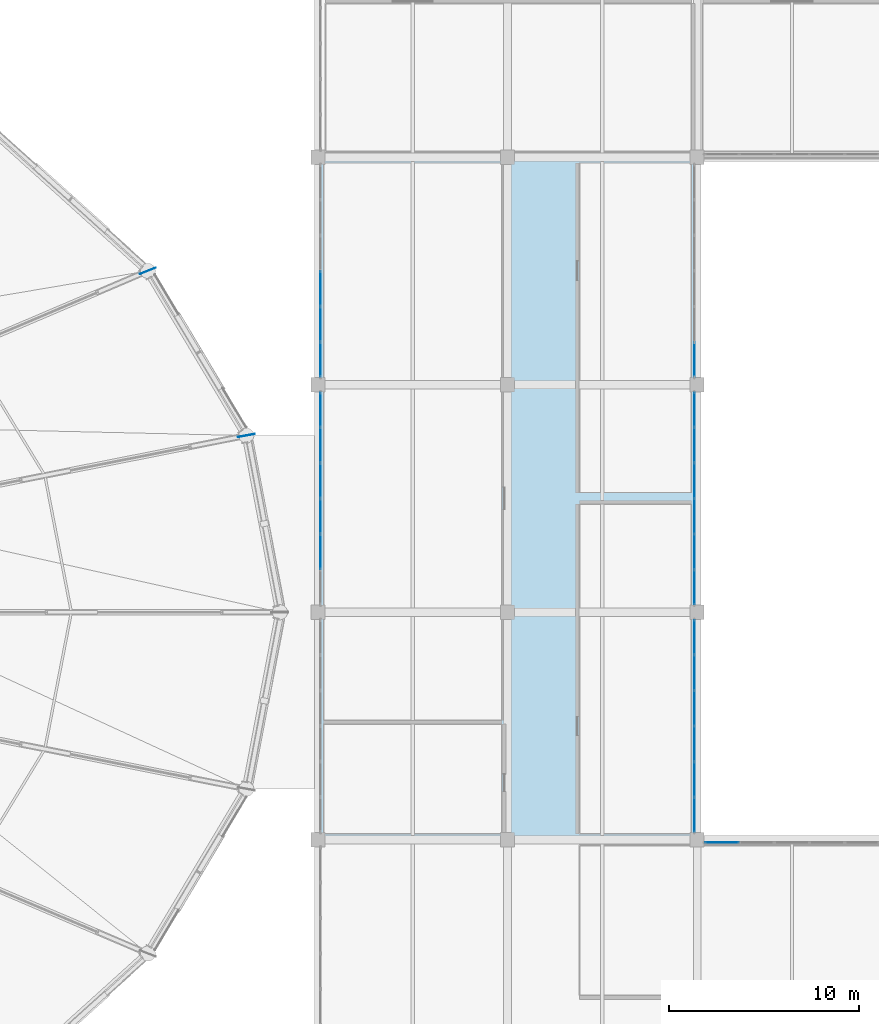
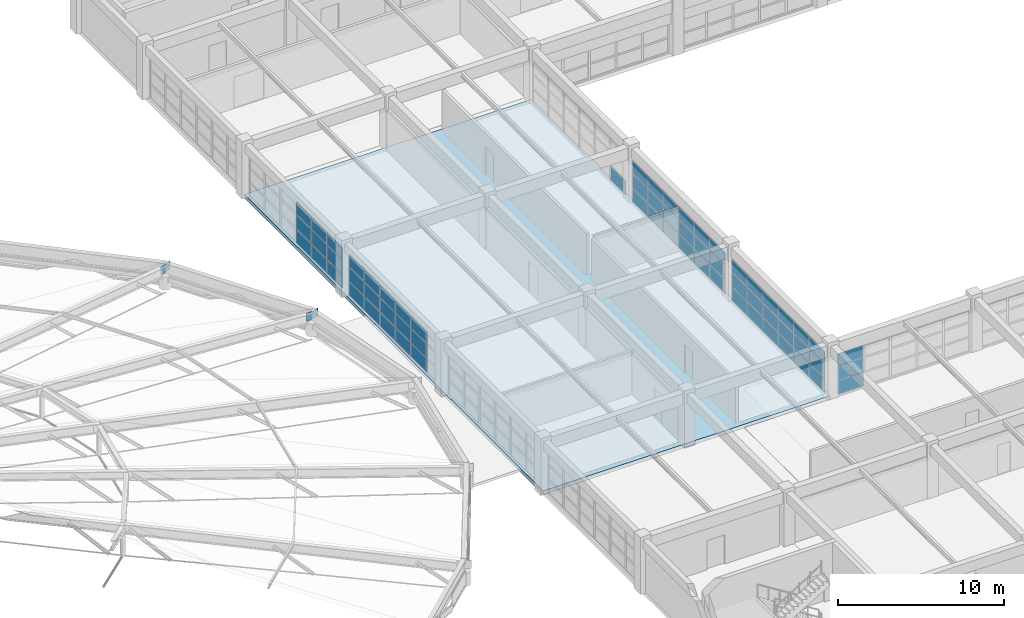
# One storey, part 52 of 83: 66 plates, 1 slab, 6 elements without a shape of their own.
"""IFC4 building model written with IfcOpenShell, lengths in metres."""

from ifc_helpers import new_model, si_unit, direction, frame, origin, origin_2d, place, context, subcontext, project, spatial, polyline, rectangle, outline, extrude, material, layer, layer_set, type_object, element, aggregate, save


model = new_model("IFC4")

# Units and contexts
model_context = context("Model", 3, precision=1e-05, world=origin(), true_north=direction((0.0, 1.0)))
body_context = subcontext(model_context, "Body", "Model", "MODEL_VIEW")
ifc_project = project(units=[si_unit("LENGTHUNIT", "METRE"), si_unit("AREAUNIT", "SQUARE_METRE"), si_unit("VOLUMEUNIT", "CUBIC_METRE"), si_unit("PLANEANGLEUNIT", "RADIAN"), si_unit("MASSUNIT", "GRAM", prefix="KILO")], contexts=[model_context])

# Site, building, storey
site_placement = place(None, origin())
site = spatial("IfcSite", under=ifc_project, at=site_placement, CompositionType="ELEMENT")
building_placement = place(site_placement, origin())
building = spatial("IfcBuilding", under=site, at=building_placement, Name="Kivolera Central Railway Station", CompositionType="ELEMENT")
storey_placement = place(building_placement, frame((0.0, 0.0, 14.39990234375)))
storey = spatial("IfcBuildingStorey", under=building, at=storey_placement, Name="L03", CompositionType="ELEMENT", Elevation=14.39990234375)

# Curtain wall, plates
ifc_material_1 = material(Name="Anodised aluminium", Category="aluminium")
ifc_layer_1 = layer(ifc_material_1, 0.179931640625, Name="Anodised aluminium")
ifc_layer_set_1 = layer_set([ifc_layer_1], Name="Anodised aluminium")
curtain_wall_type_1 = type_object("IfcCurtainWallType", Name="CW-SYS-30", PredefinedType="NOTDEFINED", material=ifc_layer_set_1)
curtain_wall_1_placement = place(storey_placement, origin())
curtain_wall_1 = element("IfcCurtainWall", 1, at=curtain_wall_1_placement, inside=storey, type_object=curtain_wall_type_1, Name="L03 Curtain Wall CW-L03-CRTW-G", PredefinedType="NOTDEFINED")
ifc_material_2 = material(Name="Double low-E laminated glass", Category="glass")
ifc_layer_2 = layer(ifc_material_2, 0.02587890625, Name="Double low-E laminated glass")
ifc_layer_set_2 = layer_set([ifc_layer_2], Name="Double low-E laminated glass")
plate_type_1 = type_object("IfcPlateType", Name="CWP-GLZ-1", PredefinedType="CURTAIN_PANEL", material=ifc_layer_set_2)
plate_1_placement = place(storey_placement, frame((137.85498046875, 88.6767578125, 0.048095703125), z_axis=(0.0, 0.0, 1.0), x_axis=(0.0, -1.0, 0.0)))
plate_1 = element("IfcPlate", 2, at=plate_1_placement, type_object=plate_type_1, Name="CW-30 panel 1.1", PredefinedType="CURTAIN_PANEL", context=body_context, shape_type="SweptSolid", body=[
    extrude(rectangle(XDim=1.810546875, YDim=0.02587890625, at=origin_2d()), origin(), (0.0, 0.0, 1.0), 1.01123046875),
])
plate_2_placement = place(storey_placement, frame((137.85498046875, 88.6767578125, 1.09521484375), z_axis=(0.0, 0.0, 1.0), x_axis=(0.0, -1.0, 0.0)))
plate_2 = element("IfcPlate", 3, at=plate_2_placement, type_object=plate_type_1, Name="CW-30 panel 1.2", PredefinedType="CURTAIN_PANEL", context=body_context, shape_type="SweptSolid", body=[
    extrude(rectangle(XDim=1.810546875, YDim=0.02587890625, at=origin_2d()), origin(), (0.0, 0.0, 1.0), 1.041259765625),
])
plate_3_placement = place(storey_placement, frame((137.85498046875, 88.6767578125, 2.172607421875), z_axis=(0.0, 0.0, 1.0), x_axis=(0.0, -1.0, 0.0)))
plate_3 = element("IfcPlate", 4, at=plate_3_placement, type_object=plate_type_1, Name="CW-30 panel 1.3", PredefinedType="CURTAIN_PANEL", context=body_context, shape_type="SweptSolid", body=[
    extrude(rectangle(XDim=1.810546875, YDim=0.02587890625, at=origin_2d()), origin(), (0.0, 0.0, 1.0), 0.857421875),
])
plate_4_placement = place(storey_placement, frame((137.85498046875, 86.81494140625, 0.048095703125), z_axis=(0.0, 0.0, 1.0), x_axis=(0.0, -1.0, 0.0)))
plate_4 = element("IfcPlate", 5, at=plate_4_placement, type_object=plate_type_1, Name="CW-30 panel 2.1", PredefinedType="CURTAIN_PANEL", context=body_context, shape_type="SweptSolid", body=[
    extrude(rectangle(XDim=1.840576171875, YDim=0.02587890625, at=origin_2d()), origin(), (0.0, 0.0, 1.0), 1.01123046875),
])
plate_5_placement = place(storey_placement, frame((137.85498046875, 86.81494140625, 1.09521484375), z_axis=(0.0, 0.0, 1.0), x_axis=(0.0, -1.0, 0.0)))
plate_5 = element("IfcPlate", 6, at=plate_5_placement, type_object=plate_type_1, Name="CW-30 panel 2.2", PredefinedType="CURTAIN_PANEL", context=body_context, shape_type="SweptSolid", body=[
    extrude(rectangle(XDim=1.840576171875, YDim=0.02587890625, at=origin_2d()), origin(), (0.0, 0.0, 1.0), 1.041259765625),
])
plate_6_placement = place(storey_placement, frame((137.85498046875, 86.81494140625, 2.172607421875), z_axis=(0.0, 0.0, 1.0), x_axis=(0.0, -1.0, 0.0)))
plate_6 = element("IfcPlate", 7, at=plate_6_placement, type_object=plate_type_1, Name="CW-30 panel 2.3", PredefinedType="CURTAIN_PANEL", context=body_context, shape_type="SweptSolid", body=[
    extrude(rectangle(XDim=1.840576171875, YDim=0.02587890625, at=origin_2d()), origin(), (0.0, 0.0, 1.0), 0.857421875),
])
plate_7_placement = place(storey_placement, frame((137.85498046875, 84.938232421875, 0.048095703125), z_axis=(0.0, 0.0, 1.0), x_axis=(0.0, -1.0, 0.0)))
plate_7 = element("IfcPlate", 8, at=plate_7_placement, type_object=plate_type_1, Name="CW-30 panel 3.1", PredefinedType="CURTAIN_PANEL", context=body_context, shape_type="SweptSolid", body=[
    extrude(rectangle(XDim=1.840576171875, YDim=0.02587890625, at=origin_2d()), origin(), (0.0, 0.0, 1.0), 1.01123046875),
])
plate_8_placement = place(storey_placement, frame((137.85498046875, 84.938232421875, 1.09521484375), z_axis=(0.0, 0.0, 1.0), x_axis=(0.0, -1.0, 0.0)))
plate_8 = element("IfcPlate", 9, at=plate_8_placement, type_object=plate_type_1, Name="CW-30 panel 3.2", PredefinedType="CURTAIN_PANEL", context=body_context, shape_type="SweptSolid", body=[
    extrude(rectangle(XDim=1.840576171875, YDim=0.02587890625, at=origin_2d()), origin(), (0.0, 0.0, 1.0), 1.041259765625),
])
plate_9_placement = place(storey_placement, frame((137.85498046875, 84.938232421875, 2.172607421875), z_axis=(0.0, 0.0, 1.0), x_axis=(0.0, -1.0, 0.0)))
plate_9 = element("IfcPlate", 10, at=plate_9_placement, type_object=plate_type_1, Name="CW-30 panel 3.3", PredefinedType="CURTAIN_PANEL", context=body_context, shape_type="SweptSolid", body=[
    extrude(rectangle(XDim=1.840576171875, YDim=0.02587890625, at=origin_2d()), origin(), (0.0, 0.0, 1.0), 0.857421875),
])
plate_10_placement = place(storey_placement, frame((137.85498046875, 83.061767578125, 0.048095703125), z_axis=(0.0, 0.0, 1.0), x_axis=(0.0, -1.0, 0.0)))
plate_10 = element("IfcPlate", 11, at=plate_10_placement, type_object=plate_type_1, Name="CW-30 panel 4.1", PredefinedType="CURTAIN_PANEL", context=body_context, shape_type="SweptSolid", body=[
    extrude(rectangle(XDim=1.840576171875, YDim=0.02587890625, at=origin_2d()), origin(), (0.0, 0.0, 1.0), 1.01123046875),
])
plate_11_placement = place(storey_placement, frame((137.85498046875, 83.061767578125, 1.09521484375), z_axis=(0.0, 0.0, 1.0), x_axis=(0.0, -1.0, 0.0)))
plate_11 = element("IfcPlate", 12, at=plate_11_placement, type_object=plate_type_1, Name="CW-30 panel 4.2", PredefinedType="CURTAIN_PANEL", context=body_context, shape_type="SweptSolid", body=[
    extrude(rectangle(XDim=1.840576171875, YDim=0.02587890625, at=origin_2d()), origin(), (0.0, 0.0, 1.0), 1.041259765625),
])
plate_12_placement = place(storey_placement, frame((137.85498046875, 83.061767578125, 2.172607421875), z_axis=(0.0, 0.0, 1.0), x_axis=(0.0, -1.0, 0.0)))
plate_12 = element("IfcPlate", 13, at=plate_12_placement, type_object=plate_type_1, Name="CW-30 panel 4.3", PredefinedType="CURTAIN_PANEL", context=body_context, shape_type="SweptSolid", body=[
    extrude(rectangle(XDim=1.840576171875, YDim=0.02587890625, at=origin_2d()), origin(), (0.0, 0.0, 1.0), 0.857421875),
])
plate_13_placement = place(storey_placement, frame((137.85498046875, 81.18505859375, 0.048095703125), z_axis=(0.0, 0.0, 1.0), x_axis=(0.0, -1.0, 0.0)))
plate_13 = element("IfcPlate", 14, at=plate_13_placement, type_object=plate_type_1, Name="CW-30 panel 5.1", PredefinedType="CURTAIN_PANEL", context=body_context, shape_type="SweptSolid", body=[
    extrude(rectangle(XDim=1.840576171875, YDim=0.02587890625, at=origin_2d()), origin(), (0.0, 0.0, 1.0), 1.01123046875),
])
plate_14_placement = place(storey_placement, frame((137.85498046875, 81.18505859375, 1.09521484375), z_axis=(0.0, 0.0, 1.0), x_axis=(0.0, -1.0, 0.0)))
plate_14 = element("IfcPlate", 15, at=plate_14_placement, type_object=plate_type_1, Name="CW-30 panel 5.2", PredefinedType="CURTAIN_PANEL", context=body_context, shape_type="SweptSolid", body=[
    extrude(rectangle(XDim=1.840576171875, YDim=0.02587890625, at=origin_2d()), origin(), (0.0, 0.0, 1.0), 1.041259765625),
])
plate_15_placement = place(storey_placement, frame((137.85498046875, 81.18505859375, 2.172607421875), z_axis=(0.0, 0.0, 1.0), x_axis=(0.0, -1.0, 0.0)))
plate_15 = element("IfcPlate", 16, at=plate_15_placement, type_object=plate_type_1, Name="CW-30 panel 5.3", PredefinedType="CURTAIN_PANEL", context=body_context, shape_type="SweptSolid", body=[
    extrude(rectangle(XDim=1.840576171875, YDim=0.02587890625, at=origin_2d()), origin(), (0.0, 0.0, 1.0), 0.857421875),
])
plate_16_placement = place(storey_placement, frame((137.85498046875, 79.3232421875, 0.048095703125), z_axis=(0.0, 0.0, 1.0), x_axis=(0.0, -1.0, 0.0)))
plate_16 = element("IfcPlate", 17, at=plate_16_placement, type_object=plate_type_1, Name="CW-30 panel 6.1", PredefinedType="CURTAIN_PANEL", context=body_context, shape_type="SweptSolid", body=[
    extrude(rectangle(XDim=1.810546875, YDim=0.02587890625, at=origin_2d()), origin(), (0.0, 0.0, 1.0), 1.01123046875),
])
plate_17_placement = place(storey_placement, frame((137.85498046875, 79.3232421875, 1.09521484375), z_axis=(0.0, 0.0, 1.0), x_axis=(0.0, -1.0, 0.0)))
plate_17 = element("IfcPlate", 18, at=plate_17_placement, type_object=plate_type_1, Name="CW-30 panel 6.2", PredefinedType="CURTAIN_PANEL", context=body_context, shape_type="SweptSolid", body=[
    extrude(rectangle(XDim=1.810546875, YDim=0.02587890625, at=origin_2d()), origin(), (0.0, 0.0, 1.0), 1.041259765625),
])
plate_18_placement = place(storey_placement, frame((137.85498046875, 79.3232421875, 2.172607421875), z_axis=(0.0, 0.0, 1.0), x_axis=(0.0, -1.0, 0.0)))
plate_18 = element("IfcPlate", 19, at=plate_18_placement, type_object=plate_type_1, Name="CW-30 panel 6.3", PredefinedType="CURTAIN_PANEL", context=body_context, shape_type="SweptSolid", body=[
    extrude(rectangle(XDim=1.810546875, YDim=0.02587890625, at=origin_2d()), origin(), (0.0, 0.0, 1.0), 0.857421875),
])
aggregate(curtain_wall_1, [plate_1, plate_2, plate_3, plate_4, plate_5, plate_6, plate_7, plate_8, plate_9, plate_10, plate_11, plate_12, plate_13, plate_14, plate_15, plate_16, plate_17, plate_18])

curtain_wall_2_placement = place(storey_placement, origin())
curtain_wall_2 = element("IfcCurtainWall", 20, at=curtain_wall_2_placement, inside=storey, type_object=curtain_wall_type_1, Name="L03 Curtain Wall CW-L03-CRTW-H", PredefinedType="NOTDEFINED")
plate_19_placement = place(storey_placement, frame((137.85498046875, 100.6767578125, 0.048095703125), z_axis=(0.0, 0.0, 1.0), x_axis=(0.0, -1.0, 0.0)))
plate_19 = element("IfcPlate", 21, at=plate_19_placement, type_object=plate_type_1, Name="CW-30 panel 1.1", PredefinedType="CURTAIN_PANEL", context=body_context, shape_type="SweptSolid", body=[
    extrude(rectangle(XDim=1.810546875, YDim=0.02587890625, at=origin_2d()), origin(), (0.0, 0.0, 1.0), 1.01123046875),
])
plate_20_placement = place(storey_placement, frame((137.85498046875, 100.6767578125, 1.09521484375), z_axis=(0.0, 0.0, 1.0), x_axis=(0.0, -1.0, 0.0)))
plate_20 = element("IfcPlate", 22, at=plate_20_placement, type_object=plate_type_1, Name="CW-30 panel 1.2", PredefinedType="CURTAIN_PANEL", context=body_context, shape_type="SweptSolid", body=[
    extrude(rectangle(XDim=1.810546875, YDim=0.02587890625, at=origin_2d()), origin(), (0.0, 0.0, 1.0), 1.041259765625),
])
plate_21_placement = place(storey_placement, frame((137.85498046875, 100.6767578125, 2.172607421875), z_axis=(0.0, 0.0, 1.0), x_axis=(0.0, -1.0, 0.0)))
plate_21 = element("IfcPlate", 23, at=plate_21_placement, type_object=plate_type_1, Name="CW-30 panel 1.3", PredefinedType="CURTAIN_PANEL", context=body_context, shape_type="SweptSolid", body=[
    extrude(rectangle(XDim=1.810546875, YDim=0.02587890625, at=origin_2d()), origin(), (0.0, 0.0, 1.0), 0.857421875),
])
plate_22_placement = place(storey_placement, frame((137.85498046875, 98.81494140625, 0.048095703125), z_axis=(0.0, 0.0, 1.0), x_axis=(0.0, -1.0, 0.0)))
plate_22 = element("IfcPlate", 24, at=plate_22_placement, type_object=plate_type_1, Name="CW-30 panel 2.1", PredefinedType="CURTAIN_PANEL", context=body_context, shape_type="SweptSolid", body=[
    extrude(rectangle(XDim=1.840576171875, YDim=0.02587890625, at=origin_2d()), origin(), (0.0, 0.0, 1.0), 1.01123046875),
])
plate_23_placement = place(storey_placement, frame((137.85498046875, 98.81494140625, 1.09521484375), z_axis=(0.0, 0.0, 1.0), x_axis=(0.0, -1.0, 0.0)))
plate_23 = element("IfcPlate", 25, at=plate_23_placement, type_object=plate_type_1, Name="CW-30 panel 2.2", PredefinedType="CURTAIN_PANEL", context=body_context, shape_type="SweptSolid", body=[
    extrude(rectangle(XDim=1.840576171875, YDim=0.02587890625, at=origin_2d()), origin(), (0.0, 0.0, 1.0), 1.041259765625),
])
plate_24_placement = place(storey_placement, frame((137.85498046875, 98.81494140625, 2.172607421875), z_axis=(0.0, 0.0, 1.0), x_axis=(0.0, -1.0, 0.0)))
plate_24 = element("IfcPlate", 26, at=plate_24_placement, type_object=plate_type_1, Name="CW-30 panel 2.3", PredefinedType="CURTAIN_PANEL", context=body_context, shape_type="SweptSolid", body=[
    extrude(rectangle(XDim=1.840576171875, YDim=0.02587890625, at=origin_2d()), origin(), (0.0, 0.0, 1.0), 0.857421875),
])
plate_25_placement = place(storey_placement, frame((137.85498046875, 96.938232421875, 0.048095703125), z_axis=(0.0, 0.0, 1.0), x_axis=(0.0, -1.0, 0.0)))
plate_25 = element("IfcPlate", 27, at=plate_25_placement, type_object=plate_type_1, Name="CW-30 panel 3.1", PredefinedType="CURTAIN_PANEL", context=body_context, shape_type="SweptSolid", body=[
    extrude(rectangle(XDim=1.840576171875, YDim=0.02587890625, at=origin_2d()), origin(), (0.0, 0.0, 1.0), 1.01123046875),
])
plate_26_placement = place(storey_placement, frame((137.85498046875, 96.938232421875, 1.09521484375), z_axis=(0.0, 0.0, 1.0), x_axis=(0.0, -1.0, 0.0)))
plate_26 = element("IfcPlate", 28, at=plate_26_placement, type_object=plate_type_1, Name="CW-30 panel 3.2", PredefinedType="CURTAIN_PANEL", context=body_context, shape_type="SweptSolid", body=[
    extrude(rectangle(XDim=1.840576171875, YDim=0.02587890625, at=origin_2d()), origin(), (0.0, 0.0, 1.0), 1.041259765625),
])
plate_27_placement = place(storey_placement, frame((137.85498046875, 96.938232421875, 2.172607421875), z_axis=(0.0, 0.0, 1.0), x_axis=(0.0, -1.0, 0.0)))
plate_27 = element("IfcPlate", 29, at=plate_27_placement, type_object=plate_type_1, Name="CW-30 panel 3.3", PredefinedType="CURTAIN_PANEL", context=body_context, shape_type="SweptSolid", body=[
    extrude(rectangle(XDim=1.840576171875, YDim=0.02587890625, at=origin_2d()), origin(), (0.0, 0.0, 1.0), 0.857421875),
])
plate_28_placement = place(storey_placement, frame((137.85498046875, 95.061767578125, 0.048095703125), z_axis=(0.0, 0.0, 1.0), x_axis=(0.0, -1.0, 0.0)))
plate_28 = element("IfcPlate", 30, at=plate_28_placement, type_object=plate_type_1, Name="CW-30 panel 4.1", PredefinedType="CURTAIN_PANEL", context=body_context, shape_type="SweptSolid", body=[
    extrude(rectangle(XDim=1.840576171875, YDim=0.02587890625, at=origin_2d()), origin(), (0.0, 0.0, 1.0), 1.01123046875),
])
plate_29_placement = place(storey_placement, frame((137.85498046875, 95.061767578125, 1.09521484375), z_axis=(0.0, 0.0, 1.0), x_axis=(0.0, -1.0, 0.0)))
plate_29 = element("IfcPlate", 31, at=plate_29_placement, type_object=plate_type_1, Name="CW-30 panel 4.2", PredefinedType="CURTAIN_PANEL", context=body_context, shape_type="SweptSolid", body=[
    extrude(rectangle(XDim=1.840576171875, YDim=0.02587890625, at=origin_2d()), origin(), (0.0, 0.0, 1.0), 1.041259765625),
])
plate_30_placement = place(storey_placement, frame((137.85498046875, 95.061767578125, 2.172607421875), z_axis=(0.0, 0.0, 1.0), x_axis=(0.0, -1.0, 0.0)))
plate_30 = element("IfcPlate", 32, at=plate_30_placement, type_object=plate_type_1, Name="CW-30 panel 4.3", PredefinedType="CURTAIN_PANEL", context=body_context, shape_type="SweptSolid", body=[
    extrude(rectangle(XDim=1.840576171875, YDim=0.02587890625, at=origin_2d()), origin(), (0.0, 0.0, 1.0), 0.857421875),
])
plate_31_placement = place(storey_placement, frame((137.85498046875, 93.18505859375, 0.048095703125), z_axis=(0.0, 0.0, 1.0), x_axis=(0.0, -1.0, 0.0)))
plate_31 = element("IfcPlate", 33, at=plate_31_placement, type_object=plate_type_1, Name="CW-30 panel 5.1", PredefinedType="CURTAIN_PANEL", context=body_context, shape_type="SweptSolid", body=[
    extrude(rectangle(XDim=1.840576171875, YDim=0.02587890625, at=origin_2d()), origin(), (0.0, 0.0, 1.0), 1.01123046875),
])
plate_32_placement = place(storey_placement, frame((137.85498046875, 93.18505859375, 1.09521484375), z_axis=(0.0, 0.0, 1.0), x_axis=(0.0, -1.0, 0.0)))
plate_32 = element("IfcPlate", 34, at=plate_32_placement, type_object=plate_type_1, Name="CW-30 panel 5.2", PredefinedType="CURTAIN_PANEL", context=body_context, shape_type="SweptSolid", body=[
    extrude(rectangle(XDim=1.840576171875, YDim=0.02587890625, at=origin_2d()), origin(), (0.0, 0.0, 1.0), 1.041259765625),
])
plate_33_placement = place(storey_placement, frame((137.85498046875, 93.18505859375, 2.172607421875), z_axis=(0.0, 0.0, 1.0), x_axis=(0.0, -1.0, 0.0)))
plate_33 = element("IfcPlate", 35, at=plate_33_placement, type_object=plate_type_1, Name="CW-30 panel 5.3", PredefinedType="CURTAIN_PANEL", context=body_context, shape_type="SweptSolid", body=[
    extrude(rectangle(XDim=1.840576171875, YDim=0.02587890625, at=origin_2d()), origin(), (0.0, 0.0, 1.0), 0.857421875),
])
plate_34_placement = place(storey_placement, frame((137.85498046875, 91.3232421875, 0.048095703125), z_axis=(0.0, 0.0, 1.0), x_axis=(0.0, -1.0, 0.0)))
plate_34 = element("IfcPlate", 36, at=plate_34_placement, type_object=plate_type_1, Name="CW-30 panel 6.1", PredefinedType="CURTAIN_PANEL", context=body_context, shape_type="SweptSolid", body=[
    extrude(rectangle(XDim=1.810546875, YDim=0.02587890625, at=origin_2d()), origin(), (0.0, 0.0, 1.0), 1.01123046875),
])
plate_35_placement = place(storey_placement, frame((137.85498046875, 91.3232421875, 1.09521484375), z_axis=(0.0, 0.0, 1.0), x_axis=(0.0, -1.0, 0.0)))
plate_35 = element("IfcPlate", 37, at=plate_35_placement, type_object=plate_type_1, Name="CW-30 panel 6.2", PredefinedType="CURTAIN_PANEL", context=body_context, shape_type="SweptSolid", body=[
    extrude(rectangle(XDim=1.810546875, YDim=0.02587890625, at=origin_2d()), origin(), (0.0, 0.0, 1.0), 1.041259765625),
])
plate_36_placement = place(storey_placement, frame((137.85498046875, 91.3232421875, 2.172607421875), z_axis=(0.0, 0.0, 1.0), x_axis=(0.0, -1.0, 0.0)))
plate_36 = element("IfcPlate", 38, at=plate_36_placement, type_object=plate_type_1, Name="CW-30 panel 6.3", PredefinedType="CURTAIN_PANEL", context=body_context, shape_type="SweptSolid", body=[
    extrude(rectangle(XDim=1.810546875, YDim=0.02587890625, at=origin_2d()), origin(), (0.0, 0.0, 1.0), 0.857421875),
])
aggregate(curtain_wall_2, [plate_19, plate_20, plate_21, plate_22, plate_23, plate_24, plate_25, plate_26, plate_27, plate_28, plate_29, plate_30, plate_31, plate_32, plate_33, plate_34, plate_35, plate_36])

# Curtain wall, plate
curtain_wall_3_placement = place(storey_placement, origin())
curtain_wall_3 = element("IfcCurtainWall", 39, at=curtain_wall_3_placement, inside=storey, type_object=curtain_wall_type_1, Name="L03 Curtain Wall CW-L03-CRTW-J", PredefinedType="NOTDEFINED")
plate_37_placement = place(storey_placement, frame((137.85498046875, 103.3232421875, 0.048095703125), z_axis=(0.0, 0.0, 1.0), x_axis=(0.0, -1.0, 0.0)))
plate_37 = element("IfcPlate", 40, at=plate_37_placement, type_object=plate_type_1, Name="CW-30 panel 6.1", PredefinedType="CURTAIN_PANEL", context=body_context, shape_type="SweptSolid", body=[
    extrude(rectangle(XDim=1.810546875, YDim=0.02587890625, at=origin_2d()), origin(), (0.0, 0.0, 1.0), 1.01123046875),
])
aggregate(curtain_wall_3, [plate_37])

# Curtain wall, plates
curtain_wall_4_placement = place(storey_placement, origin())
curtain_wall_4 = element("IfcCurtainWall", 41, at=curtain_wall_4_placement, inside=storey, type_object=curtain_wall_type_1, Name="L03 Curtain Wall CW-L03-WEST-H", PredefinedType="NOTDEFINED")
ifc_layer_3 = layer(ifc_material_2, 0.030029296875, Name="Double low-E laminated glass")
ifc_layer_set_3 = layer_set([ifc_layer_3], Name="Double low-E laminated glass")
plate_type_2 = type_object("IfcPlateType", Name="CWP-GLZ-2", PredefinedType="CURTAIN_PANEL", material=ifc_layer_set_3)
plate_38_placement = place(storey_placement, frame((118.14501953125, 93.18505859375, 0.05810546875), z_axis=(0.0, 0.0, 1.0), x_axis=(0.0, 1.0, 0.0)))
plate_38 = element("IfcPlate", 42, at=plate_38_placement, type_object=plate_type_2, Name="CW-30 panel 2.1", PredefinedType="CURTAIN_PANEL", context=body_context, shape_type="SweptSolid", body=[
    extrude(rectangle(XDim=1.83056640625, YDim=0.030029296875, at=origin_2d()), origin(), (0.0, 0.0, 1.0), 0.996337890625),
])
plate_39_placement = place(storey_placement, frame((118.14501953125, 93.18505859375, 1.100341796875), z_axis=(0.0, 0.0, 1.0), x_axis=(0.0, 1.0, 0.0)))
plate_39 = element("IfcPlate", 43, at=plate_39_placement, type_object=plate_type_2, Name="CW-30 panel 2.2", PredefinedType="CURTAIN_PANEL", context=body_context, shape_type="SweptSolid", body=[
    extrude(rectangle(XDim=1.83056640625, YDim=0.030029296875, at=origin_2d()), origin(), (0.0, 0.0, 1.0), 1.03125),
])
plate_40_placement = place(storey_placement, frame((118.14501953125, 93.18505859375, 2.177734375), z_axis=(0.0, 0.0, 1.0), x_axis=(0.0, 1.0, 0.0)))
plate_40 = element("IfcPlate", 44, at=plate_40_placement, type_object=plate_type_2, Name="CW-30 panel 2.3", PredefinedType="CURTAIN_PANEL", context=body_context, shape_type="SweptSolid", body=[
    extrude(rectangle(XDim=1.83056640625, YDim=0.030029296875, at=origin_2d()), origin(), (0.0, 0.0, 1.0), 0.84228515625),
])
plate_41_placement = place(storey_placement, frame((118.14501953125, 95.061767578125, 0.05810546875), z_axis=(0.0, 0.0, 1.0), x_axis=(0.0, 1.0, 0.0)))
plate_41 = element("IfcPlate", 45, at=plate_41_placement, type_object=plate_type_2, Name="CW-30 panel 3.1", PredefinedType="CURTAIN_PANEL", context=body_context, shape_type="SweptSolid", body=[
    extrude(rectangle(XDim=1.83056640625, YDim=0.030029296875, at=origin_2d()), origin(), (0.0, 0.0, 1.0), 0.996337890625),
])
plate_42_placement = place(storey_placement, frame((118.14501953125, 95.061767578125, 1.100341796875), z_axis=(0.0, 0.0, 1.0), x_axis=(0.0, 1.0, 0.0)))
plate_42 = element("IfcPlate", 46, at=plate_42_placement, type_object=plate_type_2, Name="CW-30 panel 3.2", PredefinedType="CURTAIN_PANEL", context=body_context, shape_type="SweptSolid", body=[
    extrude(rectangle(XDim=1.83056640625, YDim=0.030029296875, at=origin_2d()), origin(), (0.0, 0.0, 1.0), 1.03125),
])
plate_43_placement = place(storey_placement, frame((118.14501953125, 95.061767578125, 2.177734375), z_axis=(0.0, 0.0, 1.0), x_axis=(0.0, 1.0, 0.0)))
plate_43 = element("IfcPlate", 47, at=plate_43_placement, type_object=plate_type_2, Name="CW-30 panel 3.3", PredefinedType="CURTAIN_PANEL", context=body_context, shape_type="SweptSolid", body=[
    extrude(rectangle(XDim=1.83056640625, YDim=0.030029296875, at=origin_2d()), origin(), (0.0, 0.0, 1.0), 0.84228515625),
])
plate_44_placement = place(storey_placement, frame((118.14501953125, 96.938232421875, 0.05810546875), z_axis=(0.0, 0.0, 1.0), x_axis=(0.0, 1.0, 0.0)))
plate_44 = element("IfcPlate", 48, at=plate_44_placement, type_object=plate_type_2, Name="CW-30 panel 4.1", PredefinedType="CURTAIN_PANEL", context=body_context, shape_type="SweptSolid", body=[
    extrude(rectangle(XDim=1.83056640625, YDim=0.030029296875, at=origin_2d()), origin(), (0.0, 0.0, 1.0), 0.996337890625),
])
plate_45_placement = place(storey_placement, frame((118.14501953125, 96.938232421875, 1.100341796875), z_axis=(0.0, 0.0, 1.0), x_axis=(0.0, 1.0, 0.0)))
plate_45 = element("IfcPlate", 49, at=plate_45_placement, type_object=plate_type_2, Name="CW-30 panel 4.2", PredefinedType="CURTAIN_PANEL", context=body_context, shape_type="SweptSolid", body=[
    extrude(rectangle(XDim=1.83056640625, YDim=0.030029296875, at=origin_2d()), origin(), (0.0, 0.0, 1.0), 1.03125),
])
plate_46_placement = place(storey_placement, frame((118.14501953125, 96.938232421875, 2.177734375), z_axis=(0.0, 0.0, 1.0), x_axis=(0.0, 1.0, 0.0)))
plate_46 = element("IfcPlate", 50, at=plate_46_placement, type_object=plate_type_2, Name="CW-30 panel 4.3", PredefinedType="CURTAIN_PANEL", context=body_context, shape_type="SweptSolid", body=[
    extrude(rectangle(XDim=1.83056640625, YDim=0.030029296875, at=origin_2d()), origin(), (0.0, 0.0, 1.0), 0.84228515625),
])
plate_47_placement = place(storey_placement, frame((118.14501953125, 98.81494140625, 0.05810546875), z_axis=(0.0, 0.0, 1.0), x_axis=(0.0, 1.0, 0.0)))
plate_47 = element("IfcPlate", 51, at=plate_47_placement, type_object=plate_type_2, Name="CW-30 panel 5.1", PredefinedType="CURTAIN_PANEL", context=body_context, shape_type="SweptSolid", body=[
    extrude(rectangle(XDim=1.83056640625, YDim=0.030029296875, at=origin_2d()), origin(), (0.0, 0.0, 1.0), 0.996337890625),
])
plate_48_placement = place(storey_placement, frame((118.14501953125, 98.81494140625, 1.100341796875), z_axis=(0.0, 0.0, 1.0), x_axis=(0.0, 1.0, 0.0)))
plate_48 = element("IfcPlate", 52, at=plate_48_placement, type_object=plate_type_2, Name="CW-30 panel 5.2", PredefinedType="CURTAIN_PANEL", context=body_context, shape_type="SweptSolid", body=[
    extrude(rectangle(XDim=1.83056640625, YDim=0.030029296875, at=origin_2d()), origin(), (0.0, 0.0, 1.0), 1.03125),
])
plate_49_placement = place(storey_placement, frame((118.14501953125, 98.81494140625, 2.177734375), z_axis=(0.0, 0.0, 1.0), x_axis=(0.0, 1.0, 0.0)))
plate_49 = element("IfcPlate", 53, at=plate_49_placement, type_object=plate_type_2, Name="CW-30 panel 5.3", PredefinedType="CURTAIN_PANEL", context=body_context, shape_type="SweptSolid", body=[
    extrude(rectangle(XDim=1.83056640625, YDim=0.030029296875, at=origin_2d()), origin(), (0.0, 0.0, 1.0), 0.84228515625),
])
plate_50_placement = place(storey_placement, frame((118.14501953125, 100.674072265625, 0.05810546875), z_axis=(0.0, 0.0, 1.0), x_axis=(0.0, 1.0, 0.0)))
plate_50 = element("IfcPlate", 54, at=plate_50_placement, type_object=plate_type_2, Name="CW-30 panel 6.1", PredefinedType="CURTAIN_PANEL", context=body_context, shape_type="SweptSolid", body=[
    extrude(rectangle(XDim=1.795654296875, YDim=0.030029296875, at=origin_2d()), origin(), (0.0, 0.0, 1.0), 0.996337890625),
])
plate_51_placement = place(storey_placement, frame((118.14501953125, 100.674072265625, 1.100341796875), z_axis=(0.0, 0.0, 1.0), x_axis=(0.0, 1.0, 0.0)))
plate_51 = element("IfcPlate", 55, at=plate_51_placement, type_object=plate_type_2, Name="CW-30 panel 6.2", PredefinedType="CURTAIN_PANEL", context=body_context, shape_type="SweptSolid", body=[
    extrude(rectangle(XDim=1.795654296875, YDim=0.030029296875, at=origin_2d()), origin(), (0.0, 0.0, 1.0), 1.03125),
])
plate_52_placement = place(storey_placement, frame((118.14501953125, 100.674072265625, 2.177734375), z_axis=(0.0, 0.0, 1.0), x_axis=(0.0, 1.0, 0.0)))
plate_52 = element("IfcPlate", 56, at=plate_52_placement, type_object=plate_type_2, Name="CW-30 panel 6.3", PredefinedType="CURTAIN_PANEL", context=body_context, shape_type="SweptSolid", body=[
    extrude(rectangle(XDim=1.795654296875, YDim=0.030029296875, at=origin_2d()), origin(), (0.0, 0.0, 1.0), 0.84228515625),
])
aggregate(curtain_wall_4, [plate_38, plate_39, plate_40, plate_41, plate_42, plate_43, plate_44, plate_45, plate_46, plate_47, plate_48, plate_49, plate_50, plate_51, plate_52])

curtain_wall_5_placement = place(storey_placement, origin())
curtain_wall_5 = element("IfcCurtainWall", 57, at=curtain_wall_5_placement, inside=storey, type_object=curtain_wall_type_1, Name="L03 Curtain Wall CW-L03-WEST-J", PredefinedType="NOTDEFINED")
plate_53_placement = place(storey_placement, frame((118.14501953125, 103.325927734375, 0.05810546875), z_axis=(0.0, 0.0, 1.0), x_axis=(0.0, 1.0, 0.0)))
plate_53 = element("IfcPlate", 58, at=plate_53_placement, type_object=plate_type_2, Name="CW-30 panel 1.1", PredefinedType="CURTAIN_PANEL", context=body_context, shape_type="SweptSolid", body=[
    extrude(rectangle(XDim=1.795654296875, YDim=0.030029296875, at=origin_2d()), origin(), (0.0, 0.0, 1.0), 0.996337890625),
])
plate_54_placement = place(storey_placement, frame((118.14501953125, 103.325927734375, 1.100341796875), z_axis=(0.0, 0.0, 1.0), x_axis=(0.0, 1.0, 0.0)))
plate_54 = element("IfcPlate", 59, at=plate_54_placement, type_object=plate_type_2, Name="CW-30 panel 1.2", PredefinedType="CURTAIN_PANEL", context=body_context, shape_type="SweptSolid", body=[
    extrude(rectangle(XDim=1.795654296875, YDim=0.030029296875, at=origin_2d()), origin(), (0.0, 0.0, 1.0), 1.03125),
])
plate_55_placement = place(storey_placement, frame((118.14501953125, 103.325927734375, 2.177734375), z_axis=(0.0, 0.0, 1.0), x_axis=(0.0, 1.0, 0.0)))
plate_55 = element("IfcPlate", 60, at=plate_55_placement, type_object=plate_type_2, Name="CW-30 panel 1.3", PredefinedType="CURTAIN_PANEL", context=body_context, shape_type="SweptSolid", body=[
    extrude(rectangle(XDim=1.795654296875, YDim=0.030029296875, at=origin_2d()), origin(), (0.0, 0.0, 1.0), 0.84228515625),
])
plate_56_placement = place(storey_placement, frame((118.14501953125, 105.18505859375, 0.05810546875), z_axis=(0.0, 0.0, 1.0), x_axis=(0.0, 1.0, 0.0)))
plate_56 = element("IfcPlate", 61, at=plate_56_placement, type_object=plate_type_2, Name="CW-30 panel 2.1", PredefinedType="CURTAIN_PANEL", context=body_context, shape_type="SweptSolid", body=[
    extrude(rectangle(XDim=1.83056640625, YDim=0.030029296875, at=origin_2d()), origin(), (0.0, 0.0, 1.0), 0.996337890625),
])
plate_57_placement = place(storey_placement, frame((118.14501953125, 105.18505859375, 1.100341796875), z_axis=(0.0, 0.0, 1.0), x_axis=(0.0, 1.0, 0.0)))
plate_57 = element("IfcPlate", 62, at=plate_57_placement, type_object=plate_type_2, Name="CW-30 panel 2.2", PredefinedType="CURTAIN_PANEL", context=body_context, shape_type="SweptSolid", body=[
    extrude(rectangle(XDim=1.83056640625, YDim=0.030029296875, at=origin_2d()), origin(), (0.0, 0.0, 1.0), 1.03125),
])
plate_58_placement = place(storey_placement, frame((118.14501953125, 105.18505859375, 2.177734375), z_axis=(0.0, 0.0, 1.0), x_axis=(0.0, 1.0, 0.0)))
plate_58 = element("IfcPlate", 63, at=plate_58_placement, type_object=plate_type_2, Name="CW-30 panel 2.3", PredefinedType="CURTAIN_PANEL", context=body_context, shape_type="SweptSolid", body=[
    extrude(rectangle(XDim=1.83056640625, YDim=0.030029296875, at=origin_2d()), origin(), (0.0, 0.0, 1.0), 0.84228515625),
])
plate_59_placement = place(storey_placement, frame((118.14501953125, 107.061767578125, 0.05810546875), z_axis=(0.0, 0.0, 1.0), x_axis=(0.0, 1.0, 0.0)))
plate_59 = element("IfcPlate", 64, at=plate_59_placement, type_object=plate_type_2, Name="CW-30 panel 3.1", PredefinedType="CURTAIN_PANEL", context=body_context, shape_type="SweptSolid", body=[
    extrude(rectangle(XDim=1.83056640625, YDim=0.030029296875, at=origin_2d()), origin(), (0.0, 0.0, 1.0), 0.996337890625),
])
plate_60_placement = place(storey_placement, frame((118.14501953125, 107.061767578125, 1.100341796875), z_axis=(0.0, 0.0, 1.0), x_axis=(0.0, 1.0, 0.0)))
plate_60 = element("IfcPlate", 65, at=plate_60_placement, type_object=plate_type_2, Name="CW-30 panel 3.2", PredefinedType="CURTAIN_PANEL", context=body_context, shape_type="SweptSolid", body=[
    extrude(rectangle(XDim=1.83056640625, YDim=0.030029296875, at=origin_2d()), origin(), (0.0, 0.0, 1.0), 1.03125),
])
plate_61_placement = place(storey_placement, frame((118.14501953125, 107.061767578125, 2.177734375), z_axis=(0.0, 0.0, 1.0), x_axis=(0.0, 1.0, 0.0)))
plate_61 = element("IfcPlate", 66, at=plate_61_placement, type_object=plate_type_2, Name="CW-30 panel 3.3", PredefinedType="CURTAIN_PANEL", context=body_context, shape_type="SweptSolid", body=[
    extrude(rectangle(XDim=1.83056640625, YDim=0.030029296875, at=origin_2d()), origin(), (0.0, 0.0, 1.0), 0.84228515625),
])
aggregate(curtain_wall_5, [plate_53, plate_54, plate_55, plate_56, plate_57, plate_58, plate_59, plate_60, plate_61])

ifc_layer_4 = layer(ifc_material_1, 0.179931640625, Name="Anodised aluminium")
ifc_layer_set_4 = layer_set([ifc_layer_4], Name="Anodised aluminium")
curtain_wall_type_2 = type_object("IfcCurtainWallType", Name="CW-SYS-29", PredefinedType="NOTDEFINED", material=ifc_layer_set_4)
curtain_wall_6_placement = place(storey_placement, origin())
curtain_wall_6 = element("IfcCurtainWall", 67, at=curtain_wall_6_placement, inside=storey, type_object=curtain_wall_type_2, Name="L03 Curtain Wall CW-L03-CRTS-138", PredefinedType="NOTDEFINED")
ifc_layer_5 = layer(ifc_material_2, 0.033935546875, Name="Double low-E laminated glass")
ifc_layer_set_5 = layer_set([ifc_layer_5], Name="Double low-E laminated glass")
plate_type_3 = type_object("IfcPlateType", Name="CWP-GLZ-3", PredefinedType="CURTAIN_PANEL", material=ifc_layer_set_5)
plate_62_placement = place(storey_placement, frame((139.31103515625, 77.85498046875, 0.048095703125), z_axis=(0.0, 0.0, 1.0), x_axis=(1.0, 0.0, 0.0)))
plate_62 = element("IfcPlate", 68, at=plate_62_placement, type_object=plate_type_3, Name="CW-29 panel 1.1", PredefinedType="CURTAIN_PANEL", context=body_context, shape_type="SweptSolid", body=[
    extrude(rectangle(XDim=1.785888671875, YDim=0.033935546875, at=origin_2d()), origin(), (0.0, 0.0, 1.0), 1.01123046875),
])
plate_63_placement = place(storey_placement, frame((139.31103515625, 77.85498046875, 1.09521484375), z_axis=(0.0, 0.0, 1.0), x_axis=(1.0, 0.0, 0.0)))
plate_63 = element("IfcPlate", 69, at=plate_63_placement, type_object=plate_type_3, Name="CW-29 panel 1.2", PredefinedType="CURTAIN_PANEL", context=body_context, shape_type="SweptSolid", body=[
    extrude(rectangle(XDim=1.785888671875, YDim=0.033935546875, at=origin_2d()), origin(), (0.0, 0.0, 1.0), 1.041259765625),
])
plate_64_placement = place(storey_placement, frame((139.31103515625, 77.85498046875, 2.172607421875), z_axis=(0.0, 0.0, 1.0), x_axis=(1.0, 0.0, 0.0)))
plate_64 = element("IfcPlate", 70, at=plate_64_placement, type_object=plate_type_3, Name="CW-29 panel 1.3", PredefinedType="CURTAIN_PANEL", context=body_context, shape_type="SweptSolid", body=[
    extrude(rectangle(XDim=1.785888671875, YDim=0.033935546875, at=origin_2d()), origin(), (0.0, 0.0, 1.0), 0.857421875),
])
aggregate(curtain_wall_6, [plate_62, plate_63, plate_64])

# Plates
ifc_material_3 = material(Name="Steel S355", Category="steel")
ifc_layer_6 = layer(ifc_material_3, 0.028076171875, Name="Steel S355")
ifc_layer_set_6 = layer_set([ifc_layer_6], Name="Steel S355")
plate_type_4 = type_object("IfcPlateType", Name="PLT-GUS-900", PredefinedType="SHEET", material=ifc_layer_set_6)
for number, where, z_axis, x_axis, name in (
    (71, (114.22802734375, 99.31689453125, 1.050048828125), (0.0, 0.0, 1.0), (0.983226269944, 0.182389972563, 0.0), "Dome Springing Node Gusset Plate NP-02"),
    (72, (109.032958984375, 108.0, 1.050048828125), (0.0, 0.0, 1.0), (0.92857006367, 0.371157159241, 0.0), "Dome Springing Node Gusset Plate NP-03"),
):
    element("IfcPlate", number, at=place(storey_placement, frame(where, z_axis=z_axis, x_axis=x_axis)), inside=storey, type_object=plate_type_4, Name=name, PredefinedType="SHEET", context=body_context, shape_type="SweptSolid", body=[
        extrude(rectangle(XDim=0.89990234375, YDim=0.028076171875, at=origin_2d()), origin(), (0.0, 0.0, 1.0), 0.60009765625),
    ])

# Slab
ifc_material_4 = material(Name="Concrete C40/50", Category="concrete")
ifc_layer_7 = layer(ifc_material_4, 0.280029296875, Name="Concrete C40/50")
ifc_layer_set_7 = layer_set([ifc_layer_7], Name="Concrete C40/50")
slab_type = type_object("IfcSlabType", Name="SLB-FLR-280", PredefinedType="FLOOR", material=ifc_layer_set_7)
slab_placement = place(storey_placement, frame((0.0, 0.0, -0.27978515625)))
element("IfcSlab", 73, at=slab_placement, inside=storey, type_object=slab_type, Name="L03 Wing WEST Floor Slab", PredefinedType="FLOOR", context=body_context, shape_type="SweptSolid", body=[
    extrude(outline(polyline([(118.0, 78.0), (138.0, 78.0), (138.0, 114.0), (118.0, 114.0), (118.0, 78.0)])), origin(), (0.0, 0.0, 1.0), 0.27978515625),
])

save(model, "model.ifc")
